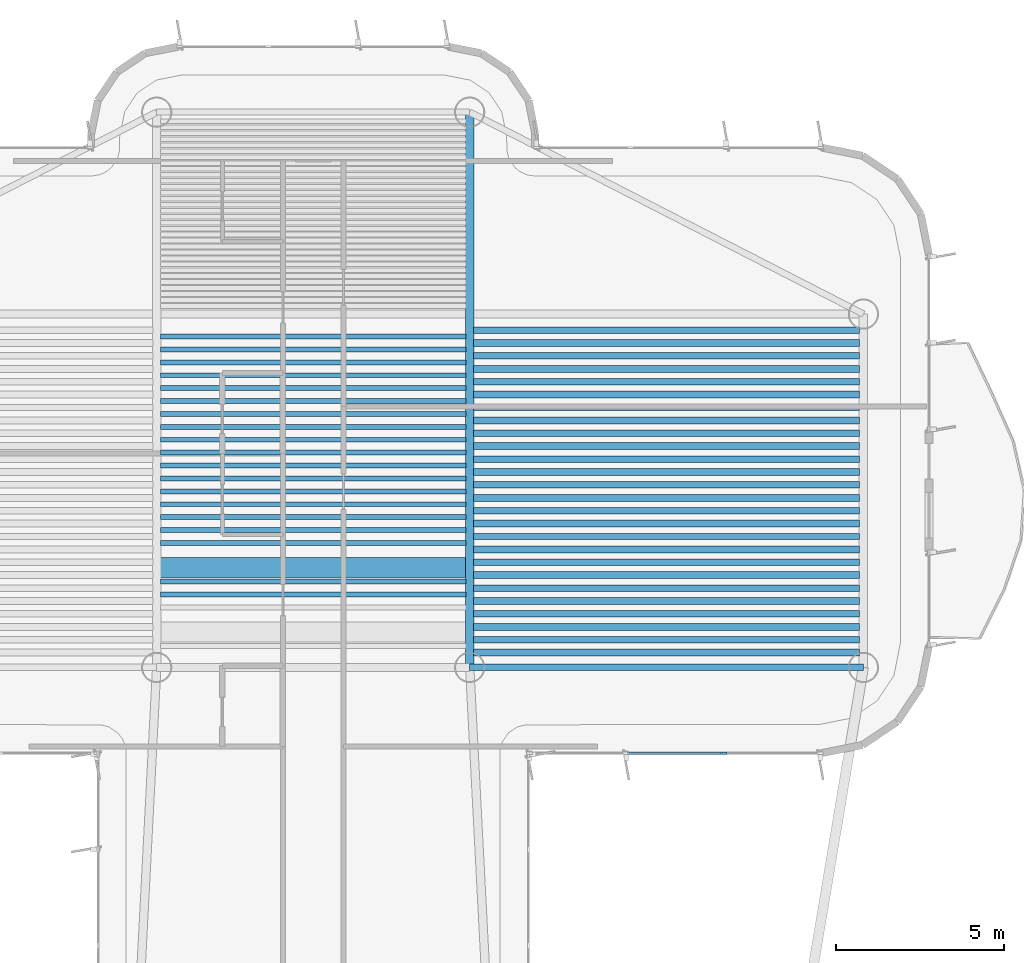
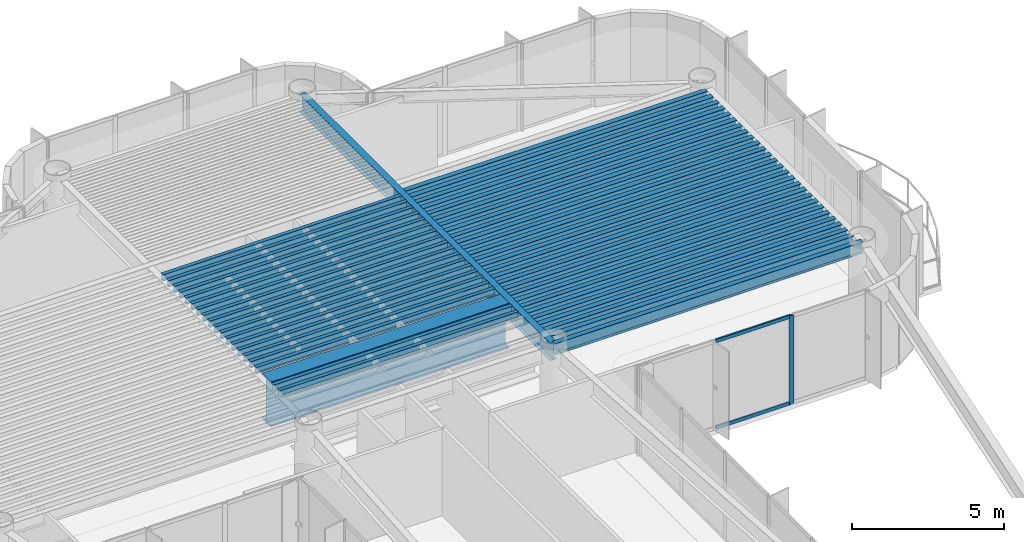
# One storey, part 6 of 15: 48 beams, 3 members, 1 element without a shape of its own.
"""IFC4 building model written with IfcOpenShell, lengths in metres."""

from ifc_helpers import new_model, si_unit, direction, frame, origin, origin_2d, place, context, subcontext, project, spatial, rectangle, i_section, extrude, source, transform, mapped, material, layer, layer_set, material_profile, profile_set, type_object, element, aggregate, save


model = new_model("IFC4")

# Units and contexts
model_context = context("Model", 3, precision=1e-05, world=origin(), true_north=direction((0.0, 1.0)))
body_context = subcontext(model_context, "Body", "Model", "MODEL_VIEW")
ifc_project = project(units=[si_unit("LENGTHUNIT", "METRE"), si_unit("AREAUNIT", "SQUARE_METRE"), si_unit("VOLUMEUNIT", "CUBIC_METRE"), si_unit("PLANEANGLEUNIT", "RADIAN"), si_unit("MASSUNIT", "GRAM", prefix="KILO")], contexts=[model_context])

# Site, building, storey
site_placement = place(None, origin())
site = spatial("IfcSite", under=ifc_project, at=site_placement, CompositionType="ELEMENT")
building_placement = place(site_placement, origin())
building = spatial("IfcBuilding", under=site, at=building_placement, Name="Brelvock Crest Care Tower", CompositionType="ELEMENT")
storey_placement = place(building_placement, frame((0.0, 0.0, 283.5)))
storey = spatial("IfcBuildingStorey", under=building, at=storey_placement, Name="L72", CompositionType="ELEMENT", Elevation=283.5)

# Beams
ifc_material_1 = material(Name="Steel Grade 350", Category="steel")
ifc_material_profile_1 = material_profile(ifc_material_1, i_section(OverallWidth=0.14599609375, OverallDepth=0.256103515625, WebThickness=0.00634765625, FlangeThickness=0.010986328125, FilletRadius=0.0087890625, at=origin_2d()), Name="250UB37.3")
ifc_profile_set_1 = profile_set([ifc_material_profile_1], Name="Steel Grade 350")
beam_type_1 = type_object("IfcBeamType", Name="BM-J3", PredefinedType="JOIST", material=ifc_profile_set_1)
shared_shape_1 = source(origin(), body_context, "Body", "SweptSolid", [
    extrude(i_section(OverallWidth=0.14599609375, OverallDepth=0.256103515625, WebThickness=0.00634765625, FlangeThickness=0.010986328125, FilletRadius=0.0087890625, at=origin_2d()), origin(), (0.0, 0.0, 1.0), 9.06982421875),
])
for number, where, z_axis, x_axis, name in (
    (1, (31.465087890625, 46.115478515625, 3.402099609375), (1.0, 0.0, 0.0), (0.0, 1.0, 0.0), "BM-JH-L72-5"),
    (2, (31.465087890625, 46.498779296875, 3.402099609375), (1.0, 0.0, 0.0), (0.0, 1.0, 0.0), "BM-JH-L72-6"),
    (3, (31.465087890625, 47.648681640625, 3.402099609375), (1.0, 0.0, 0.0), (0.0, 1.0, 0.0), "BM-JH-L72-9"),
    (4, (31.465087890625, 48.031982421875, 3.402099609375), (1.0, 0.0, 0.0), (0.0, 1.0, 0.0), "BM-JH-L72-10"),
    (5, (31.465087890625, 48.4150390625, 3.402099609375), (1.0, 0.0, 0.0), (0.0, 1.0, 0.0), "BM-JH-L72-11"),
    (6, (31.465087890625, 48.79833984375, 3.402099609375), (1.0, 0.0, 0.0), (0.0, 1.0, 0.0), "BM-JH-L72-12"),
    (7, (31.465087890625, 49.181640625, 3.402099609375), (1.0, 0.0, 0.0), (0.0, 1.0, 0.0), "BM-JH-L72-13"),
    (8, (31.465087890625, 49.564697265625, 3.402099609375), (1.0, 0.0, 0.0), (0.0, 1.0, 0.0), "BM-JH-L72-14"),
    (9, (31.465087890625, 49.947998046875, 3.402099609375), (1.0, 0.0, 0.0), (0.0, 1.0, 0.0), "BM-JH-L72-15"),
    (10, (31.465087890625, 50.331298828125, 3.402099609375), (1.0, 0.0, 0.0), (0.0, 1.0, 0.0), "BM-JH-L72-16"),
    (11, (31.465087890625, 50.714599609375, 3.402099609375), (1.0, 0.0, 0.0), (0.0, 1.0, 0.0), "BM-JH-L72-17"),
    (12, (31.465087890625, 51.097900390625, 3.402099609375), (1.0, 0.0, 0.0), (0.0, 1.0, 0.0), "BM-JH-L72-18"),
    (13, (31.465087890625, 51.481201171875, 3.402099609375), (1.0, 0.0, 0.0), (0.0, 1.0, 0.0), "BM-JH-L72-19"),
    (14, (31.465087890625, 51.864501953125, 3.402099609375), (1.0, 0.0, 0.0), (0.0, 1.0, 0.0), "BM-JH-L72-20"),
    (15, (31.465087890625, 52.24755859375, 3.402099609375), (1.0, 0.0, 0.0), (0.0, 1.0, 0.0), "BM-JH-L72-21"),
    (16, (31.465087890625, 52.630859375, 3.402099609375), (1.0, 0.0, 0.0), (0.0, 1.0, 0.0), "BM-JH-L72-22"),
    (17, (31.465087890625, 53.01416015625, 3.402099609375), (1.0, 0.0, 0.0), (0.0, 1.0, 0.0), "BM-JH-L72-23"),
    (18, (31.465087890625, 53.3974609375, 3.402099609375), (1.0, 0.0, 0.0), (0.0, 1.0, 0.0), "BM-JH-L72-24"),
    (19, (31.465087890625, 53.780517578125, 3.402099609375), (1.0, 0.0, 0.0), (0.0, 1.0, 0.0), "BM-JH-L72-25"),
):
    element("IfcBeam", number, at=place(storey_placement, frame(where, z_axis=z_axis, x_axis=x_axis)), inside=storey, type_object=beam_type_1, Name=name, PredefinedType="JOIST", context=body_context, shape_type="MappedRepresentation", body=[
        mapped(shared_shape_1, transform((0.0, 0.0, 0.0), x_axis=(1.0, 0.0, 0.0), y_axis=(0.0, 1.0, 0.0), z_axis=(0.0, 0.0, 1.0), scale=1.0)),
    ])
ifc_material_profile_2 = material_profile(ifc_material_1, i_section(OverallWidth=0.19091796875, OverallDepth=0.4599609375, WebThickness=0.010009765625, FlangeThickness=0.01611328125, FilletRadius=0.011474609375, at=origin_2d()), Name="460UB82.1")
ifc_profile_set_2 = profile_set([ifc_material_profile_2], Name="Steel Grade 350")
beam_type_2 = type_object("IfcBeamType", Name="BM-G3", PredefinedType="BEAM", material=ifc_profile_set_2)
shared_shape_2 = source(origin(), body_context, "Body", "SweptSolid", [
    extrude(i_section(OverallWidth=0.19091796875, OverallDepth=0.4599609375, WebThickness=0.010009765625, FlangeThickness=0.01611328125, FilletRadius=0.011474609375, at=origin_2d()), origin(), (0.0, 0.0, 1.0), 11.47021484375),
])
for number, where, z_axis, x_axis, name in (
    (20, (40.764892578125, 44.7744140625, 3.300048828125), (1.0, 0.0, 0.0), (0.0, 1.0, 0.0), "BM-JE-L72-2"),
    (21, (40.764892578125, 45.540771484375, 3.300048828125), (1.0, 0.0, 0.0), (0.0, 1.0, 0.0), "BM-JE-L72-4"),
    (22, (40.764892578125, 46.307373046875, 3.300048828125), (1.0, 0.0, 0.0), (0.0, 1.0, 0.0), "BM-JE-L72-6"),
    (23, (40.764892578125, 47.07373046875, 3.300048828125), (1.0, 0.0, 0.0), (0.0, 1.0, 0.0), "BM-JE-L72-8"),
    (24, (40.764892578125, 47.84033203125, 3.300048828125), (1.0, 0.0, 0.0), (0.0, 1.0, 0.0), "BM-JE-L72-10"),
    (25, (40.764892578125, 48.606689453125, 3.300048828125), (1.0, 0.0, 0.0), (0.0, 1.0, 0.0), "BM-JE-L72-12"),
    (26, (40.764892578125, 49.373291015625, 3.300048828125), (1.0, 0.0, 0.0), (0.0, 1.0, 0.0), "BM-JE-L72-14"),
    (27, (40.764892578125, 50.139892578125, 3.300048828125), (1.0, 0.0, 0.0), (0.0, 1.0, 0.0), "BM-JE-L72-16"),
    (28, (40.764892578125, 50.90625, 3.300048828125), (1.0, 0.0, 0.0), (0.0, 1.0, 0.0), "BM-JE-L72-18"),
    (29, (40.764892578125, 51.6728515625, 3.300048828125), (1.0, 0.0, 0.0), (0.0, 1.0, 0.0), "BM-JE-L72-20"),
    (30, (40.764892578125, 52.439208984375, 3.300048828125), (1.0, 0.0, 0.0), (0.0, 1.0, 0.0), "BM-JE-L72-22"),
    (31, (40.764892578125, 53.205810546875, 3.300048828125), (1.0, 0.0, 0.0), (0.0, 1.0, 0.0), "BM-JE-L72-24"),
    (32, (40.764892578125, 53.972412109375, 3.300048828125), (1.0, 0.0, 0.0), (0.0, 1.0, 0.0), "BM-JE-L72-26"),
):
    element("IfcBeam", number, at=place(storey_placement, frame(where, z_axis=z_axis, x_axis=x_axis)), inside=storey, type_object=beam_type_2, Name=name, PredefinedType="BEAM", context=body_context, shape_type="MappedRepresentation", body=[
        mapped(shared_shape_2, transform((0.0, 0.0, 0.0), x_axis=(1.0, 0.0, 0.0), y_axis=(0.0, 1.0, 0.0), z_axis=(0.0, 0.0, 1.0), scale=1.0)),
    ])
ifc_material_profile_3 = material_profile(ifc_material_1, i_section(OverallWidth=0.208984375, OverallDepth=0.532958984375, WebThickness=0.01025390625, FlangeThickness=0.015625, FilletRadius=0.013916015625, at=origin_2d()), Name="530UB92.4")
ifc_profile_set_3 = profile_set([ifc_material_profile_3], Name="Steel Grade 350")
beam_type_3 = type_object("IfcBeamType", Name="BM-G2", PredefinedType="BEAM", material=ifc_profile_set_3)
shared_shape_3 = source(origin(), body_context, "Body", "SweptSolid", [
    extrude(i_section(OverallWidth=0.208984375, OverallDepth=0.532958984375, WebThickness=0.01025390625, FlangeThickness=0.015625, FilletRadius=0.013916015625, at=origin_2d()), origin(), (0.0, 0.0, 1.0), 11.47021484375),
])
for number, where, z_axis, x_axis, name in (
    (33, (40.764892578125, 44.39111328125, 3.263427734375), (1.0, 0.0, 0.0), (0.0, 1.0, 0.0), "BM-JE-L72-1"),
    (34, (40.764892578125, 45.157470703125, 3.263427734375), (1.0, 0.0, 0.0), (0.0, 1.0, 0.0), "BM-JE-L72-3"),
    (35, (40.764892578125, 45.924072265625, 3.263427734375), (1.0, 0.0, 0.0), (0.0, 1.0, 0.0), "BM-JE-L72-5"),
    (36, (40.764892578125, 46.6904296875, 3.263427734375), (1.0, 0.0, 0.0), (0.0, 1.0, 0.0), "BM-JE-L72-7"),
    (37, (40.764892578125, 47.45703125, 3.263427734375), (1.0, 0.0, 0.0), (0.0, 1.0, 0.0), "BM-JE-L72-9"),
    (38, (40.764892578125, 48.223388671875, 3.263427734375), (1.0, 0.0, 0.0), (0.0, 1.0, 0.0), "BM-JE-L72-11"),
    (39, (40.764892578125, 48.989990234375, 3.263427734375), (1.0, 0.0, 0.0), (0.0, 1.0, 0.0), "BM-JE-L72-13"),
    (40, (40.764892578125, 49.756591796875, 3.263427734375), (1.0, 0.0, 0.0), (0.0, 1.0, 0.0), "BM-JE-L72-15"),
    (41, (40.764892578125, 50.52294921875, 3.263427734375), (1.0, 0.0, 0.0), (0.0, 1.0, 0.0), "BM-JE-L72-17"),
    (42, (40.764892578125, 51.28955078125, 3.263427734375), (1.0, 0.0, 0.0), (0.0, 1.0, 0.0), "BM-JE-L72-19"),
    (43, (40.764892578125, 52.055908203125, 3.263427734375), (1.0, 0.0, 0.0), (0.0, 1.0, 0.0), "BM-JE-L72-21"),
    (44, (40.764892578125, 52.822509765625, 3.263427734375), (1.0, 0.0, 0.0), (0.0, 1.0, 0.0), "BM-JE-L72-23"),
    (45, (40.764892578125, 53.589111328125, 3.263427734375), (1.0, 0.0, 0.0), (0.0, 1.0, 0.0), "BM-JE-L72-25"),
):
    element("IfcBeam", number, at=place(storey_placement, frame(where, z_axis=z_axis, x_axis=x_axis)), inside=storey, type_object=beam_type_3, Name=name, PredefinedType="BEAM", context=body_context, shape_type="MappedRepresentation", body=[
        mapped(shared_shape_3, transform((0.0, 0.0, 0.0), x_axis=(1.0, 0.0, 0.0), y_axis=(0.0, 1.0, 0.0), z_axis=(0.0, 0.0, 1.0), scale=1.0)),
    ])
ifc_material_profile_4 = material_profile(ifc_material_1, i_section(OverallWidth=0.19091796875, OverallDepth=0.4599609375, WebThickness=0.010009765625, FlangeThickness=0.01611328125, FilletRadius=0.011474609375, at=origin_2d()), Name="460UB82.1")
ifc_profile_set_4 = profile_set([ifc_material_profile_4], Name="Steel Grade 350")
beam_type_4 = type_object("IfcBeamType", Name="BM-SP2", PredefinedType="SPANDREL", material=ifc_profile_set_4)
shared_shape_4 = source(origin(), body_context, "Body", "SweptSolid", [
    extrude(i_section(OverallWidth=0.19091796875, OverallDepth=0.4599609375, WebThickness=0.010009765625, FlangeThickness=0.01611328125, FilletRadius=0.011474609375, at=origin_2d()), origin(), (0.0, 0.0, 1.0), 11.7001953125),
])
beam_1_placement = place(storey_placement, frame((40.64990234375, 43.949951171875, 3.300048828125), z_axis=(1.0, 0.0, 0.0), x_axis=(0.0, 1.0, 0.0)))
element("IfcBeam", 46, at=beam_1_placement, inside=storey, type_object=beam_type_4, Name="BM-TWR-L72-04", PredefinedType="SPANDREL", context=body_context, shape_type="MappedRepresentation", body=[
    mapped(shared_shape_4, transform((0.0, 0.0, 0.0), x_axis=(1.0, 0.0, 0.0), y_axis=(0.0, 1.0, 0.0), z_axis=(0.0, 0.0, 1.0), scale=1.0)),
])
ifc_material_profile_5 = material_profile(ifc_material_1, i_section(OverallWidth=0.25, OverallDepth=0.699951171875, WebThickness=0.011962890625, FlangeThickness=0.02001953125, at=origin_2d()), Name="700WB150")
ifc_profile_set_5 = profile_set([ifc_material_profile_5], Name="Steel Grade 350")
beam_type_5 = type_object("IfcBeamType", Name="BM-G4", PredefinedType="BEAM", material=ifc_profile_set_5)
shared_shape_5 = source(origin(), body_context, "Body", "SweptSolid", [
    extrude(i_section(OverallWidth=0.25, OverallDepth=0.699951171875, WebThickness=0.011962890625, FlangeThickness=0.02001953125, at=origin_2d()), origin(), (0.0, 0.0, 1.0), 16.5),
])
beam_2_placement = place(storey_placement, frame((40.64990234375, 43.949951171875, 3.179931640625), z_axis=(0.0, 1.0, 0.0), x_axis=(-1.0, 0.0, 0.0)))
element("IfcBeam", 47, at=beam_2_placement, inside=storey, type_object=beam_type_5, Name="BM-TWR-L72-10", PredefinedType="BEAM", context=body_context, shape_type="MappedRepresentation", body=[
    mapped(shared_shape_5, transform((0.0, 0.0, 0.0), x_axis=(1.0, 0.0, 0.0), y_axis=(0.0, 1.0, 0.0), z_axis=(0.0, 0.0, 1.0), scale=1.0)),
])
ifc_material_profile_6 = material_profile(ifc_material_1, i_section(OverallWidth=0.60009765625, OverallDepth=1.800048828125, WebThickness=0.028076171875, FlangeThickness=0.052001953125, at=origin_2d()), Name="1800TG740")
ifc_profile_set_6 = profile_set([ifc_material_profile_6], Name="Steel Grade 350")
beam_type_6 = type_object("IfcBeamType", Name="BM-TG1", PredefinedType="USERDEFINED", material=ifc_profile_set_6)
shared_shape_6 = source(origin(), body_context, "Body", "SweptSolid", [
    extrude(i_section(OverallWidth=0.60009765625, OverallDepth=1.800048828125, WebThickness=0.028076171875, FlangeThickness=0.052001953125, at=origin_2d()), origin(), (0.0, 0.0, 1.0), 9.06005859375),
])
beam_3_placement = place(storey_placement, frame((31.469970703125, 46.919921875, 2.6298828125), z_axis=(1.0, 0.0, 0.0), x_axis=(0.0, 1.0, 0.0)))
element("IfcBeam", 48, at=beam_3_placement, inside=storey, type_object=beam_type_6, Name="BM-ST6-TG-N", ObjectType="GIRDER", PredefinedType="USERDEFINED", context=body_context, shape_type="MappedRepresentation", body=[
    mapped(shared_shape_6, transform((0.0, 0.0, 0.0), x_axis=(1.0, 0.0, 0.0), y_axis=(0.0, 1.0, 0.0), z_axis=(0.0, 0.0, 1.0), scale=1.0)),
])

# Curtain wall, members
ifc_material_2 = material(Name="Dark Glass Double Glazed Low-E", Category="glass")
ifc_layer = layer(ifc_material_2, 0.239990234375, Name="CWS-5")
ifc_layer_set = layer_set([ifc_layer], Name="Dark Glass Double Glazed Low-E")
curtain_wall_type = type_object("IfcCurtainWallType", Name="CWS-5", PredefinedType="NOTDEFINED", material=ifc_layer_set)
curtain_wall_placement = place(storey_placement, origin())
curtain_wall = element("IfcCurtainWall", 49, at=curtain_wall_placement, inside=storey, type_object=curtain_wall_type, Name="L72 Curtain Wall E44", PredefinedType="NOTDEFINED")
ifc_material_3 = material(Name="Aluminium 6063-T6", Category="aluminium")
ifc_material_profile_7 = material_profile(ifc_material_3, rectangle(XDim=0.06005859375, YDim=0.179931640625, at=origin_2d()), Name="ALU60x180")
ifc_profile_set_7 = profile_set([ifc_material_profile_7], Name="Aluminium 6063-T6")
member_type_1 = type_object("IfcMemberType", Name="CWM-2", PredefinedType="MULLION", material=ifc_profile_set_7)
shared_shape_7 = source(origin(), body_context, "Body", "SweptSolid", [
    extrude(rectangle(XDim=0.06005859375, YDim=0.179931640625, at=origin_2d()), origin(), (0.0, 0.0, 1.0), 3.530029296875),
])
member_1_placement = place(storey_placement, frame((48.199951171875, 41.39990234375, 0.0), z_axis=(0.0, 0.0, 1.0), x_axis=(0.0, -1.0, 0.0)))
member_1 = element("IfcMember", 50, at=member_1_placement, type_object=member_type_1, Name="CW-5 mullion 2", PredefinedType="MULLION", context=body_context, shape_type="MappedRepresentation", body=[
    mapped(shared_shape_7, transform((0.0, 0.0, 0.0), x_axis=(1.0, 0.0, 0.0), y_axis=(0.0, 1.0, 0.0), z_axis=(0.0, 0.0, 1.0), scale=1.0)),
])
ifc_material_profile_8 = material_profile(ifc_material_3, rectangle(XDim=0.06005859375, YDim=0.139892578125, at=origin_2d()), Name="ALU60x140")
ifc_profile_set_8 = profile_set([ifc_material_profile_8], Name="Aluminium 6063-T6")
member_type_2 = type_object("IfcMemberType", Name="CWT-2", PredefinedType="USERDEFINED", material=ifc_profile_set_8)
shared_shape_8 = source(origin(), body_context, "Body", "SweptSolid", [
    extrude(rectangle(XDim=0.06005859375, YDim=0.139892578125, at=origin_2d()), origin(), (0.0, 0.0, 1.0), 2.83984375),
])
member_2_placement = place(storey_placement, frame((48.169921875, 41.39990234375, 0.030029296875), z_axis=(-1.0, 0.0, 0.0), x_axis=(0.0, -1.0, 0.0)))
member_2 = element("IfcMember", 51, at=member_2_placement, type_object=member_type_2, Name="CW-5 transom 2.1", ObjectType="TRANSOM", PredefinedType="USERDEFINED", context=body_context, shape_type="MappedRepresentation", body=[
    mapped(shared_shape_8, transform((0.0, 0.0, 0.0), x_axis=(1.0, 0.0, 0.0), y_axis=(0.0, 1.0, 0.0), z_axis=(0.0, 0.0, 1.0), scale=1.0)),
])
member_3_placement = place(storey_placement, frame((48.169921875, 41.39990234375, 3.5), z_axis=(-1.0, 0.0, 0.0), x_axis=(0.0, -1.0, 0.0)))
member_3 = element("IfcMember", 52, at=member_3_placement, type_object=member_type_2, Name="CW-5 transom 2.2", ObjectType="TRANSOM", PredefinedType="USERDEFINED", context=body_context, shape_type="MappedRepresentation", body=[
    mapped(shared_shape_8, transform((0.0, 0.0, 0.0), x_axis=(1.0, 0.0, 0.0), y_axis=(0.0, 1.0, 0.0), z_axis=(0.0, 0.0, 1.0), scale=1.0)),
])
aggregate(curtain_wall, [member_1, member_2, member_3])

save(model, "model.ifc")
